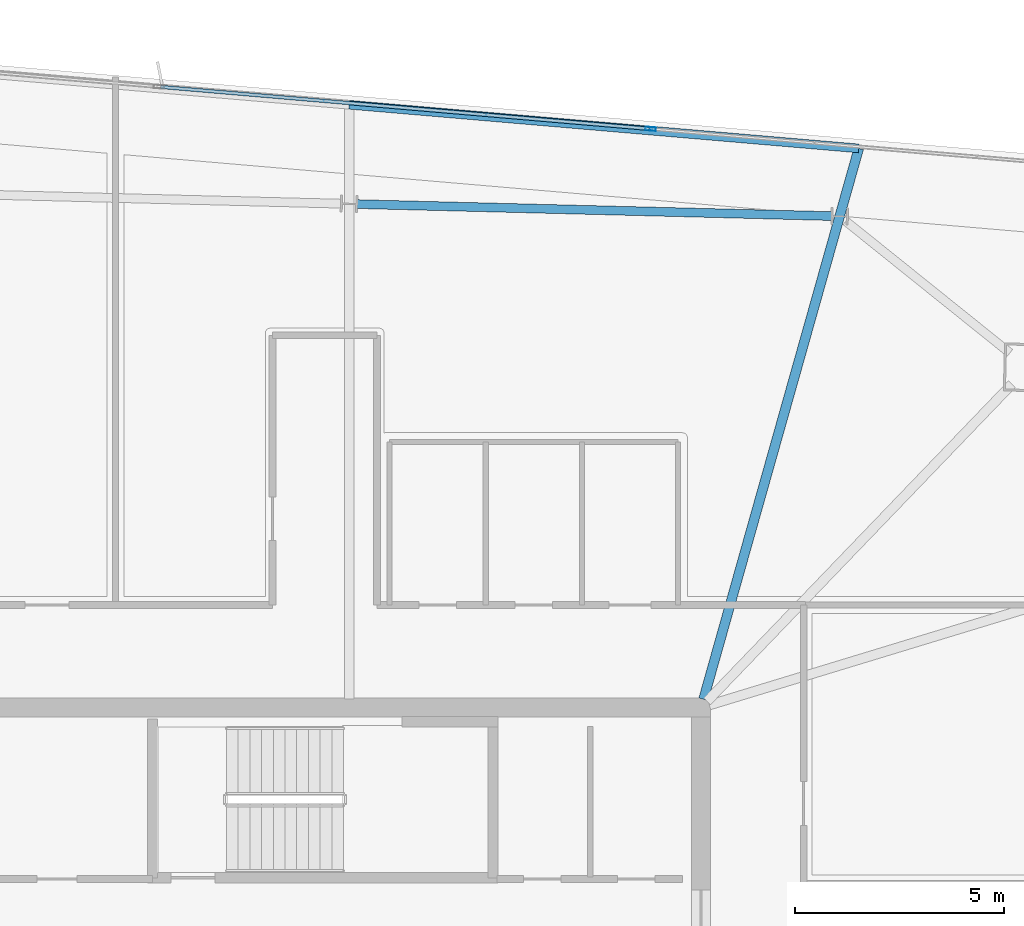
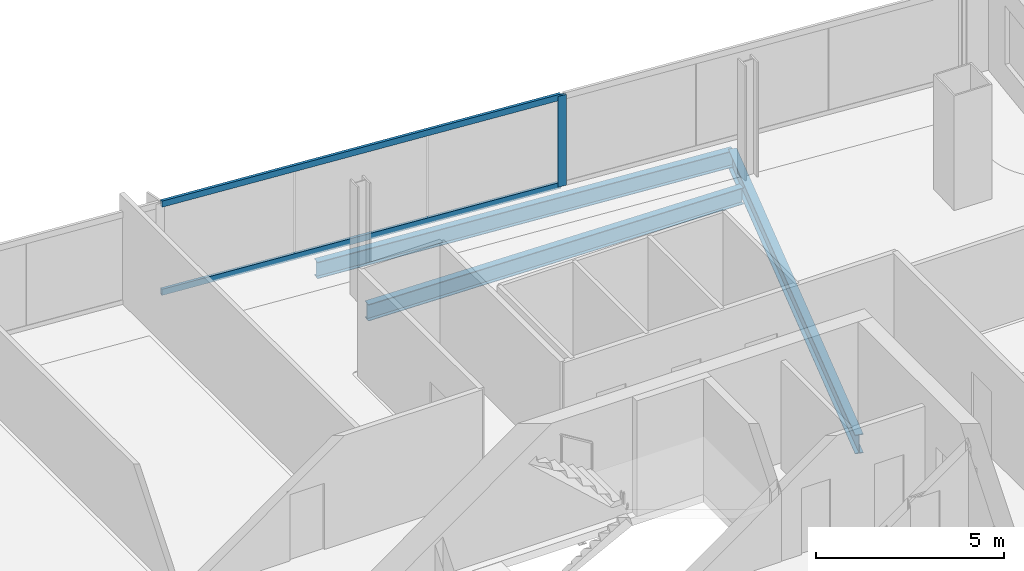
# One storey, part 15 of 24: 3 beams, 3 members, 1 element without a shape of its own.
"""IFC4 building model written with IfcOpenShell, lengths in metres."""

from ifc_helpers import new_model, si_unit, direction, frame, origin, origin_2d, place, context, subcontext, project, spatial, hollow_rectangle, i_section, extrude, material, material_profile, profile_set, type_object, element, aggregate, save


model = new_model("IFC4")

# Units and contexts
model_context = context("Model", 3, precision=1e-05, world=origin(), true_north=direction((0.0, 1.0)))
body_context = subcontext(model_context, "Body", "Model", "MODEL_VIEW")
ifc_project = project(units=[si_unit("LENGTHUNIT", "METRE"), si_unit("AREAUNIT", "SQUARE_METRE"), si_unit("VOLUMEUNIT", "CUBIC_METRE"), si_unit("PLANEANGLEUNIT", "RADIAN"), si_unit("MASSUNIT", "GRAM", prefix="KILO")], contexts=[model_context])

# Site, building, storey
site_placement = place(None, origin())
site = spatial("IfcSite", under=ifc_project, at=site_placement, CompositionType="ELEMENT")
building_placement = place(site_placement, origin())
building = spatial("IfcBuilding", under=site, at=building_placement, Name="Haldenkirk Collegiate Tower", CompositionType="ELEMENT")
storey_placement = place(building_placement, frame((0.0, 0.0, 313.949951171875)))
storey = spatial("IfcBuildingStorey", under=building, at=storey_placement, Name="L79", CompositionType="ELEMENT", Elevation=313.949951171875)

# Beams
ifc_material_1 = material(Name="Steel ASTM A992 Grade 50", Category="steel")
ifc_material_profile_1 = material_profile(ifc_material_1, i_section(OverallWidth=0.22998046875, OverallDepth=0.616943359375, WebThickness=0.01318359375, FlangeThickness=0.022216796875, at=origin_2d()), Name="W24X94")
ifc_profile_set_1 = profile_set([ifc_material_profile_1], Name="Steel ASTM A992 Grade 50")
beam_type_1 = type_object("IfcBeamType", Name="BM-GIRDER-W24X94", PredefinedType="BEAM", material=ifc_profile_set_1)
beam_1_placement = place(storey_placement, frame((48.76904296875, 47.367431640625, -0.568359375), z_axis=(-0.271373291239, -0.962474174616, 0.0), x_axis=(0.962474174616, -0.271373291239, 0.0)))
element("IfcBeam", 1, at=beam_1_placement, inside=storey, type_object=beam_type_1, Name="L79 primary floor girder 08", PredefinedType="BEAM", context=body_context, shape_type="SweptSolid", body=[
    extrude(i_section(OverallWidth=0.22998046875, OverallDepth=0.616943359375, WebThickness=0.01318359375, FlangeThickness=0.022216796875, at=origin_2d()), origin(), (0.0, 0.0, 1.0), 13.68359375),
])
ifc_material_profile_2 = material_profile(ifc_material_1, i_section(OverallWidth=0.2099609375, OverallDepth=0.537109375, WebThickness=0.010986328125, FlangeThickness=0.017333984375, at=origin_2d()), Name="W21X68")
ifc_profile_set_2 = profile_set([ifc_material_profile_2], Name="Steel ASTM A992 Grade 50")
beam_type_2 = type_object("IfcBeamType", Name="BM-SPANDREL-W21X68", PredefinedType="SPANDREL", material=ifc_profile_set_2)
beam_2_placement = place(storey_placement, frame((48.123779296875, 45.74951171875, -0.528564453125), z_axis=(-0.999679864584, 0.025301548267, 0.0), x_axis=(-0.025301548267, -0.999679864584, 0.0)))
element("IfcBeam", 2, at=beam_2_placement, inside=storey, type_object=beam_type_2, Name="L79 perimeter spandrel beam 06", PredefinedType="SPANDREL", context=body_context, shape_type="SweptSolid", body=[
    extrude(i_section(OverallWidth=0.2099609375, OverallDepth=0.537109375, WebThickness=0.010986328125, FlangeThickness=0.017333984375, at=origin_2d()), origin(), (0.0, 0.0, 1.0), 11.357177734375),
])
beam_3_placement = place(storey_placement, frame((48.76904296875, 47.367431640625, -0.528564453125), z_axis=(-0.996345969657, 0.085409067135, 0.0), x_axis=(-0.085409067135, -0.996345969657, 0.0)))
element("IfcBeam", 3, at=beam_3_placement, inside=storey, type_object=beam_type_2, Name="L79 outer facade edge beam 2A", PredefinedType="SPANDREL", context=body_context, shape_type="SweptSolid", body=[
    extrude(i_section(OverallWidth=0.2099609375, OverallDepth=0.537109375, WebThickness=0.010986328125, FlangeThickness=0.017333984375, at=origin_2d()), origin(), (0.0, 0.0, 1.0), 12.2314453125),
])

# Curtain wall, members
ifc_material_2 = material(Name="Anodised architectural bronze aluminium", Category="aluminium")
curtain_wall_type = type_object("IfcCurtainWallType", Name="CW-SYS1B-CONVEX-HI", PredefinedType="USERDEFINED", material=ifc_material_2)
curtain_wall_placement = place(storey_placement, origin())
curtain_wall = element("IfcCurtainWall", 4, at=curtain_wall_placement, inside=storey, type_object=curtain_wall_type, Name="L79 Upper tower high-wind convex bronze unitised curtain wall", ObjectType="UNITISED CURTAIN WALL", PredefinedType="USERDEFINED")
ifc_material_profile_3 = material_profile(ifc_material_2, hollow_rectangle(XDim=0.0849609375, YDim=0.25, WallThickness=0.0048828125, at=origin_2d()), Name="CW-MUL-1B")
ifc_profile_set_3 = profile_set([ifc_material_profile_3], Name="Anodised architectural bronze aluminium")
member_type_1 = type_object("IfcMemberType", Name="CW-MUL-1B", PredefinedType="MULLION", material=ifc_profile_set_3)
member_1_placement = place(storey_placement, frame((43.79345703125, 47.834228515625, 0.0), z_axis=(0.0, 0.0, 1.0), x_axis=(0.085418127117, 0.996345192973, 0.0)))
member_1 = element("IfcMember", 5, at=member_1_placement, type_object=member_type_1, Name="CW-1B mullion 3", PredefinedType="MULLION", context=body_context, shape_type="SweptSolid", body=[
    extrude(hollow_rectangle(XDim=0.0849609375, YDim=0.25, WallThickness=0.0048828125, at=origin_2d()), origin(), (0.0, 0.0, 1.0), 2.947998046875),
])
ifc_material_profile_4 = material_profile(ifc_material_2, hollow_rectangle(XDim=0.0849609375, YDim=0.199951171875, WallThickness=0.0048828125, at=origin_2d()), Name="CW-TRN-1B")
ifc_profile_set_4 = profile_set([ifc_material_profile_4], Name="Anodised architectural bronze aluminium")
member_type_2 = type_object("IfcMemberType", Name="CW-TRN-1B", PredefinedType="USERDEFINED", material=ifc_profile_set_4)
member_2_placement = place(storey_placement, frame((32.078857421875, 48.83837890625, 0.04248046875), z_axis=(0.996344723527, -0.085423602705, 0.0), x_axis=(0.085423602705, 0.996344723527, 0.0)))
member_2 = element("IfcMember", 6, at=member_2_placement, type_object=member_type_2, Name="CW-1B transom 2.1", ObjectType="TRANSOM", PredefinedType="USERDEFINED", context=body_context, shape_type="SweptSolid", body=[
    extrude(hollow_rectangle(XDim=0.0849609375, YDim=0.199951171875, WallThickness=0.0048828125, at=origin_2d()), origin(), (0.0, 0.0, 1.0), 11.71484375),
])
member_3_placement = place(storey_placement, frame((32.078857421875, 48.83837890625, 2.905517578125), z_axis=(0.996344723527, -0.085423602705, 0.0), x_axis=(0.085423602705, 0.996344723527, 0.0)))
member_3 = element("IfcMember", 7, at=member_3_placement, type_object=member_type_2, Name="CW-1B transom 2.2", ObjectType="TRANSOM", PredefinedType="USERDEFINED", context=body_context, shape_type="SweptSolid", body=[
    extrude(hollow_rectangle(XDim=0.0849609375, YDim=0.199951171875, WallThickness=0.0048828125, at=origin_2d()), origin(), (0.0, 0.0, 1.0), 11.71484375),
])
aggregate(curtain_wall, [member_1, member_2, member_3])

save(model, "model.ifc")
